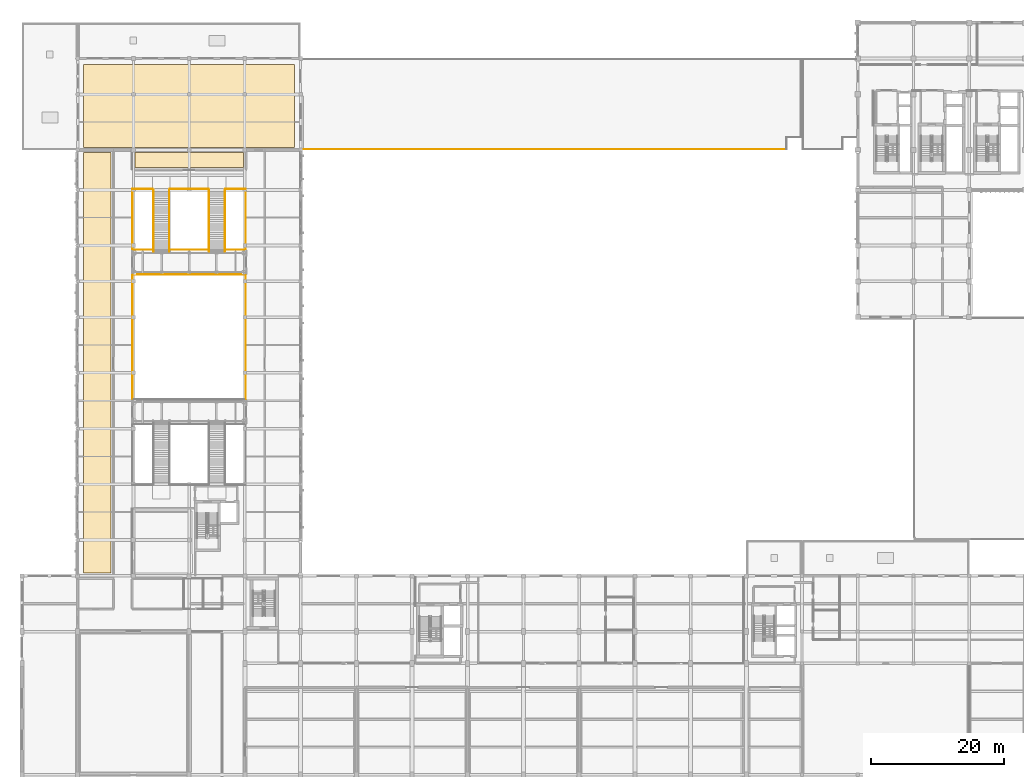
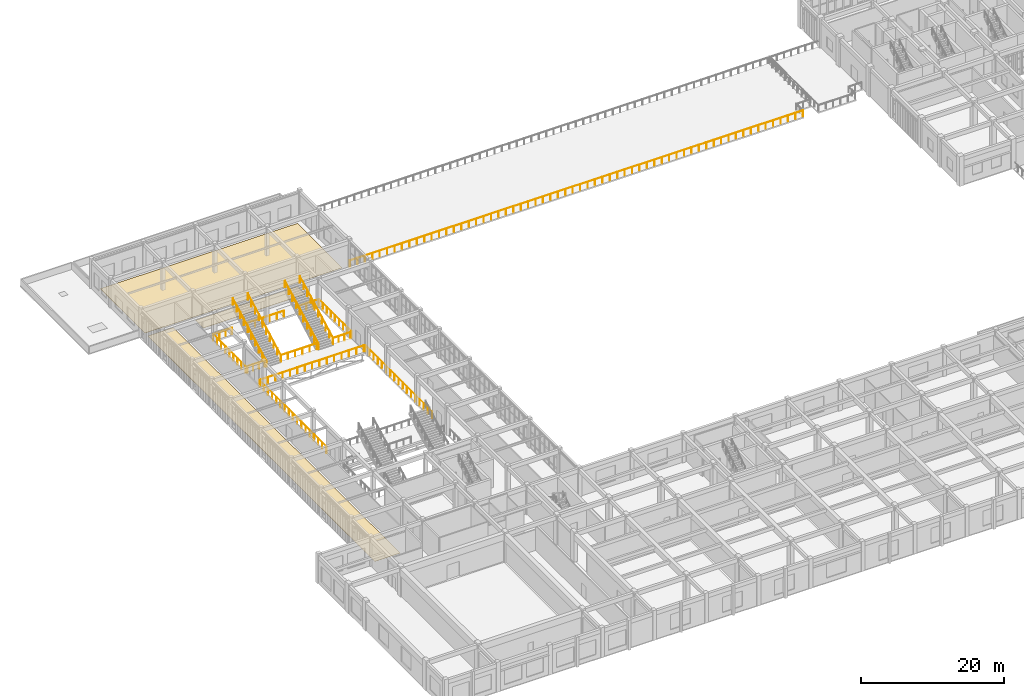
# One storey, part 90 of 93: 18 railings, 3 coverings.
"""IFC4 building model written with IfcOpenShell, lengths in metres."""

from ifc_helpers import new_model, si_unit, direction, frame, origin, origin_2d, place, context, subcontext, project, spatial, polyline, circle, outline, extrude, material, layer, layer_set, type_object, element, save


model = new_model("IFC4")

# Units and contexts
model_context = context("Model", 3, precision=1e-05, world=origin(), true_north=direction((0.0, 1.0)))
body_context = subcontext(model_context, "Body", "Model", "MODEL_VIEW")
ifc_project = project(units=[si_unit("LENGTHUNIT", "METRE"), si_unit("AREAUNIT", "SQUARE_METRE"), si_unit("VOLUMEUNIT", "CUBIC_METRE"), si_unit("PLANEANGLEUNIT", "RADIAN"), si_unit("MASSUNIT", "GRAM", prefix="KILO")], contexts=[model_context])

# Site, building, storey
site_placement = place(None, origin())
site = spatial("IfcSite", under=ifc_project, at=site_placement, CompositionType="ELEMENT")
building_placement = place(site_placement, origin())
building = spatial("IfcBuilding", under=site, at=building_placement, Name="Krzemoval Escarpment Law Courts", CompositionType="ELEMENT")
storey_placement = place(building_placement, frame((0.0, 0.0, 10.199951171875)))
storey = spatial("IfcBuildingStorey", under=building, at=storey_placement, Name="L02", CompositionType="ELEMENT", Elevation=10.199951171875)

# Coverings
ifc_material_1 = material(Name="Honed Silesian Granite Stone Flooring", Category="masonry")
ifc_layer = layer(ifc_material_1, 0.030029296875)
ifc_layer_set = layer_set([ifc_layer], Name="Honed Silesian Granite Stone Flooring")
covering_type = type_object("IfcCoveringType", Name="COV-FLR-STN30", PredefinedType="FLOORING", material=ifc_layer_set)
covering_1_placement = place(storey_placement, origin())
element("IfcCovering", 1, at=covering_1_placement, inside=storey, type_object=covering_type, Name="Stone Floor Finish FLR-L02-27", PredefinedType="FLOORING", context=body_context, shape_type="SweptSolid", body=[
    extrude(outline(polyline([(9.300048828125, 35.800048828125), (9.300048828125, 99.199951171875), (13.39990234375, 99.199951171875), (13.39990234375, 35.800048828125), (9.300048828125, 35.800048828125)])), origin(), (0.0, 0.0, 1.0), 0.030029296875),
])
covering_2_placement = place(storey_placement, origin())
element("IfcCovering", 2, at=covering_2_placement, inside=storey, type_object=covering_type, Name="Stone Floor Finish FLR-L02-29", PredefinedType="FLOORING", context=body_context, shape_type="SweptSolid", body=[
    extrude(outline(polyline([(17.0, 97.0), (17.0, 99.199951171875), (33.39990234375, 99.199951171875), (33.39990234375, 97.0), (17.0, 97.0)])), origin(), (0.0, 0.0, 1.0), 0.030029296875),
])
covering_3_placement = place(storey_placement, origin())
element("IfcCovering", 3, at=covering_3_placement, inside=storey, type_object=covering_type, Name="Stone Floor Finish FLR-L02-30", PredefinedType="FLOORING", context=body_context, shape_type="SweptSolid", body=[
    extrude(outline(polyline([(9.300048828125, 100.0), (9.300048828125, 112.5), (41.10009765625, 112.5), (41.10009765625, 100.0), (9.300048828125, 100.0)])), origin(), (0.0, 0.0, 1.0), 0.030029296875),
])

# Railings
ifc_material_2 = material(Name="Stainless Steel Grade 316L and Laminated Safety Glass Guard", Category="steel")
railing_type_1 = type_object("IfcRailingType", Name="RL-BAL-1100", PredefinedType="BALUSTRADE", material=ifc_material_2)
railing_1_placement = place(storey_placement, frame((115.239990234375, 99.719970703125, 0.0)))
element("IfcRailing", 4, at=railing_1_placement, inside=storey, type_object=railing_type_1, Name="Terrace Guardrail BG-L02-011", PredefinedType="BALUSTRADE", context=body_context, shape_type="SweptSolid", body=[
    extrude(circle(Radius=0.02392578125, at=origin_2d()), frame((0.0, 0.0, 1.076171875), z_axis=(-1.0, 0.0, 0.0), x_axis=(0.0, -1.0, 0.0)), (0.0, 0.0, 1.0), 73.02001953125),
    extrude(circle(Radius=0.02099609375, at=origin_2d()), origin(), (0.0, 0.0, 1.0), 1.052001953125),
    extrude(circle(Radius=0.02099609375, at=origin_2d()), frame((-1.197021484375, 0.0, 0.0)), (0.0, 0.0, 1.0), 1.052001953125),
    extrude(circle(Radius=0.02099609375, at=origin_2d()), frame((-2.39404296875, 0.0, 0.0)), (0.0, 0.0, 1.0), 1.052001953125),
    extrude(circle(Radius=0.02099609375, at=origin_2d()), frame((-3.591064453125, 0.0, 0.0)), (0.0, 0.0, 1.0), 1.052001953125),
    extrude(circle(Radius=0.02099609375, at=origin_2d()), frame((-4.7880859375, 0.0, 0.0)), (0.0, 0.0, 1.0), 1.052001953125),
    extrude(circle(Radius=0.02099609375, at=origin_2d()), frame((-5.9853515625, 0.0, 0.0)), (0.0, 0.0, 1.0), 1.052001953125),
    extrude(circle(Radius=0.02099609375, at=origin_2d()), frame((-7.182373046875, 0.0, 0.0)), (0.0, 0.0, 1.0), 1.052001953125),
    extrude(circle(Radius=0.02099609375, at=origin_2d()), frame((-8.37939453125, 0.0, 0.0)), (0.0, 0.0, 1.0), 1.052001953125),
    extrude(circle(Radius=0.02099609375, at=origin_2d()), frame((-9.576416015625, 0.0, 0.0)), (0.0, 0.0, 1.0), 1.052001953125),
    extrude(circle(Radius=0.02099609375, at=origin_2d()), frame((-10.7734375, 0.0, 0.0)), (0.0, 0.0, 1.0), 1.052001953125),
    extrude(circle(Radius=0.02099609375, at=origin_2d()), frame((-11.970458984375, 0.0, 0.0)), (0.0, 0.0, 1.0), 1.052001953125),
    extrude(circle(Radius=0.02099609375, at=origin_2d()), frame((-13.16748046875, 0.0, 0.0)), (0.0, 0.0, 1.0), 1.052001953125),
    extrude(circle(Radius=0.02099609375, at=origin_2d()), frame((-14.364501953125, 0.0, 0.0)), (0.0, 0.0, 1.0), 1.052001953125),
    extrude(circle(Radius=0.02099609375, at=origin_2d()), frame((-15.5615234375, 0.0, 0.0)), (0.0, 0.0, 1.0), 1.052001953125),
    extrude(circle(Radius=0.02099609375, at=origin_2d()), frame((-16.7587890625, 0.0, 0.0)), (0.0, 0.0, 1.0), 1.052001953125),
    extrude(circle(Radius=0.02099609375, at=origin_2d()), frame((-17.955810546875, 0.0, 0.0)), (0.0, 0.0, 1.0), 1.052001953125),
    extrude(circle(Radius=0.02099609375, at=origin_2d()), frame((-19.15283203125, 0.0, 0.0)), (0.0, 0.0, 1.0), 1.052001953125),
    extrude(circle(Radius=0.02099609375, at=origin_2d()), frame((-20.349853515625, 0.0, 0.0)), (0.0, 0.0, 1.0), 1.052001953125),
    extrude(circle(Radius=0.02099609375, at=origin_2d()), frame((-21.546875, 0.0, 0.0)), (0.0, 0.0, 1.0), 1.052001953125),
    extrude(circle(Radius=0.02099609375, at=origin_2d()), frame((-22.743896484375, 0.0, 0.0)), (0.0, 0.0, 1.0), 1.052001953125),
    extrude(circle(Radius=0.02099609375, at=origin_2d()), frame((-23.94091796875, 0.0, 0.0)), (0.0, 0.0, 1.0), 1.052001953125),
    extrude(circle(Radius=0.02099609375, at=origin_2d()), frame((-25.137939453125, 0.0, 0.0)), (0.0, 0.0, 1.0), 1.052001953125),
    extrude(circle(Radius=0.02099609375, at=origin_2d()), frame((-26.335205078125, 0.0, 0.0)), (0.0, 0.0, 1.0), 1.052001953125),
    extrude(circle(Radius=0.02099609375, at=origin_2d()), frame((-27.5322265625, 0.0, 0.0)), (0.0, 0.0, 1.0), 1.052001953125),
    extrude(circle(Radius=0.02099609375, at=origin_2d()), frame((-28.729248046875, 0.0, 0.0)), (0.0, 0.0, 1.0), 1.052001953125),
    extrude(circle(Radius=0.02099609375, at=origin_2d()), frame((-29.92626953125, 0.0, 0.0)), (0.0, 0.0, 1.0), 1.052001953125),
    extrude(circle(Radius=0.02099609375, at=origin_2d()), frame((-31.123291015625, 0.0, 0.0)), (0.0, 0.0, 1.0), 1.052001953125),
    extrude(circle(Radius=0.02099609375, at=origin_2d()), frame((-32.3203125, 0.0, 0.0)), (0.0, 0.0, 1.0), 1.052001953125),
    extrude(circle(Radius=0.02099609375, at=origin_2d()), frame((-33.517333984375, 0.0, 0.0)), (0.0, 0.0, 1.0), 1.052001953125),
    extrude(circle(Radius=0.02099609375, at=origin_2d()), frame((-34.71435546875, 0.0, 0.0)), (0.0, 0.0, 1.0), 1.052001953125),
    extrude(circle(Radius=0.02099609375, at=origin_2d()), frame((-35.911376953125, 0.0, 0.0)), (0.0, 0.0, 1.0), 1.052001953125),
    extrude(circle(Radius=0.02099609375, at=origin_2d()), frame((-37.108642578125, 0.0, 0.0)), (0.0, 0.0, 1.0), 1.052001953125),
    extrude(circle(Radius=0.02099609375, at=origin_2d()), frame((-38.3056640625, 0.0, 0.0)), (0.0, 0.0, 1.0), 1.052001953125),
    extrude(circle(Radius=0.02099609375, at=origin_2d()), frame((-39.502685546875, 0.0, 0.0)), (0.0, 0.0, 1.0), 1.052001953125),
    extrude(circle(Radius=0.02099609375, at=origin_2d()), frame((-40.69970703125, 0.0, 0.0)), (0.0, 0.0, 1.0), 1.052001953125),
    extrude(circle(Radius=0.02099609375, at=origin_2d()), frame((-41.896728515625, 0.0, 0.0)), (0.0, 0.0, 1.0), 1.052001953125),
    extrude(circle(Radius=0.02099609375, at=origin_2d()), frame((-43.09375, 0.0, 0.0)), (0.0, 0.0, 1.0), 1.052001953125),
    extrude(circle(Radius=0.02099609375, at=origin_2d()), frame((-44.290771484375, 0.0, 0.0)), (0.0, 0.0, 1.0), 1.052001953125),
    extrude(circle(Radius=0.02099609375, at=origin_2d()), frame((-45.48779296875, 0.0, 0.0)), (0.0, 0.0, 1.0), 1.052001953125),
    extrude(circle(Radius=0.02099609375, at=origin_2d()), frame((-46.684814453125, 0.0, 0.0)), (0.0, 0.0, 1.0), 1.052001953125),
    extrude(circle(Radius=0.02099609375, at=origin_2d()), frame((-47.882080078125, 0.0, 0.0)), (0.0, 0.0, 1.0), 1.052001953125),
    extrude(circle(Radius=0.02099609375, at=origin_2d()), frame((-49.0791015625, 0.0, 0.0)), (0.0, 0.0, 1.0), 1.052001953125),
    extrude(circle(Radius=0.02099609375, at=origin_2d()), frame((-50.276123046875, 0.0, 0.0)), (0.0, 0.0, 1.0), 1.052001953125),
    extrude(circle(Radius=0.02099609375, at=origin_2d()), frame((-51.47314453125, 0.0, 0.0)), (0.0, 0.0, 1.0), 1.052001953125),
    extrude(circle(Radius=0.02099609375, at=origin_2d()), frame((-52.670166015625, 0.0, 0.0)), (0.0, 0.0, 1.0), 1.052001953125),
    extrude(circle(Radius=0.02099609375, at=origin_2d()), frame((-53.8671875, 0.0, 0.0)), (0.0, 0.0, 1.0), 1.052001953125),
    extrude(circle(Radius=0.02099609375, at=origin_2d()), frame((-55.064208984375, 0.0, 0.0)), (0.0, 0.0, 1.0), 1.052001953125),
    extrude(circle(Radius=0.02099609375, at=origin_2d()), frame((-56.26123046875, 0.0, 0.0)), (0.0, 0.0, 1.0), 1.052001953125),
    extrude(circle(Radius=0.02099609375, at=origin_2d()), frame((-57.45849609375, 0.0, 0.0)), (0.0, 0.0, 1.0), 1.052001953125),
    extrude(circle(Radius=0.02099609375, at=origin_2d()), frame((-58.655517578125, 0.0, 0.0)), (0.0, 0.0, 1.0), 1.052001953125),
    extrude(circle(Radius=0.02099609375, at=origin_2d()), frame((-59.8525390625, 0.0, 0.0)), (0.0, 0.0, 1.0), 1.052001953125),
    extrude(circle(Radius=0.02099609375, at=origin_2d()), frame((-61.049560546875, 0.0, 0.0)), (0.0, 0.0, 1.0), 1.052001953125),
    extrude(circle(Radius=0.02099609375, at=origin_2d()), frame((-62.24658203125, 0.0, 0.0)), (0.0, 0.0, 1.0), 1.052001953125),
    extrude(circle(Radius=0.02099609375, at=origin_2d()), frame((-63.443603515625, 0.0, 0.0)), (0.0, 0.0, 1.0), 1.052001953125),
    extrude(circle(Radius=0.02099609375, at=origin_2d()), frame((-64.640625, 0.0, 0.0)), (0.0, 0.0, 1.0), 1.052001953125),
    extrude(circle(Radius=0.02099609375, at=origin_2d()), frame((-65.837646484375, 0.0, 0.0)), (0.0, 0.0, 1.0), 1.052001953125),
    extrude(circle(Radius=0.02099609375, at=origin_2d()), frame((-67.03466796875, 0.0, 0.0)), (0.0, 0.0, 1.0), 1.052001953125),
    extrude(circle(Radius=0.02099609375, at=origin_2d()), frame((-68.23193359375, 0.0, 0.0)), (0.0, 0.0, 1.0), 1.052001953125),
    extrude(circle(Radius=0.02099609375, at=origin_2d()), frame((-69.428955078125, 0.0, 0.0)), (0.0, 0.0, 1.0), 1.052001953125),
    extrude(circle(Radius=0.02099609375, at=origin_2d()), frame((-70.6259765625, 0.0, 0.0)), (0.0, 0.0, 1.0), 1.052001953125),
    extrude(circle(Radius=0.02099609375, at=origin_2d()), frame((-71.822998046875, 0.0, 0.0)), (0.0, 0.0, 1.0), 1.052001953125),
    extrude(circle(Radius=0.02099609375, at=origin_2d()), frame((-73.02001953125, 0.0, 0.0)), (0.0, 0.0, 1.0), 1.052001953125),
])
railing_2_placement = place(storey_placement, frame((16.679931640625, 93.719970703125, 0.0)))
element("IfcRailing", 5, at=railing_2_placement, inside=storey, type_object=railing_type_1, Name="Atrium Void Balustrade VG-L02-067", PredefinedType="BALUSTRADE", context=body_context, shape_type="SweptSolid", body=[
    extrude(circle(Radius=0.02392578125, at=origin_2d()), frame((0.0, 0.0, 1.076171875), z_axis=(1.0, 0.0, 0.0), x_axis=(0.0, 1.0, 0.0)), (0.0, 0.0, 1.0), 3.02001953125),
    extrude(circle(Radius=0.02099609375, at=origin_2d()), origin(), (0.0, 0.0, 1.0), 1.052001953125),
    extrude(circle(Radius=0.02099609375, at=origin_2d()), frame((1.006591796875, 0.0, 0.0)), (0.0, 0.0, 1.0), 1.052001953125),
    extrude(circle(Radius=0.02099609375, at=origin_2d()), frame((2.013427734375, 0.0, 0.0)), (0.0, 0.0, 1.0), 1.052001953125),
    extrude(circle(Radius=0.02099609375, at=origin_2d()), frame((3.02001953125, 0.0, 0.0)), (0.0, 0.0, 1.0), 1.052001953125),
])
railing_3_placement = place(storey_placement, frame((22.300048828125, 93.719970703125, 0.0)))
element("IfcRailing", 6, at=railing_3_placement, inside=storey, type_object=railing_type_1, Name="Atrium Void Balustrade VG-L02-068", PredefinedType="BALUSTRADE", context=body_context, shape_type="SweptSolid", body=[
    extrude(circle(Radius=0.02392578125, at=origin_2d()), frame((0.0, 0.0, 1.076171875), z_axis=(1.0, 0.0, 0.0), x_axis=(0.0, 1.0, 0.0)), (0.0, 0.0, 1.0), 5.800048828125),
    extrude(circle(Radius=0.02099609375, at=origin_2d()), origin(), (0.0, 0.0, 1.0), 1.052001953125),
    extrude(circle(Radius=0.02099609375, at=origin_2d()), frame((1.159912109375, 0.0, 0.0)), (0.0, 0.0, 1.0), 1.052001953125),
    extrude(circle(Radius=0.02099609375, at=origin_2d()), frame((2.320068359375, 0.0, 0.0)), (0.0, 0.0, 1.0), 1.052001953125),
    extrude(circle(Radius=0.02099609375, at=origin_2d()), frame((3.47998046875, 0.0, 0.0)), (0.0, 0.0, 1.0), 1.052001953125),
    extrude(circle(Radius=0.02099609375, at=origin_2d()), frame((4.64013671875, 0.0, 0.0)), (0.0, 0.0, 1.0), 1.052001953125),
    extrude(circle(Radius=0.02099609375, at=origin_2d()), frame((5.800048828125, 0.0, 0.0)), (0.0, 0.0, 1.0), 1.052001953125),
])
railing_4_placement = place(storey_placement, frame((30.699951171875, 93.719970703125, 0.0)))
element("IfcRailing", 7, at=railing_4_placement, inside=storey, type_object=railing_type_1, Name="Atrium Void Balustrade VG-L02-069", PredefinedType="BALUSTRADE", context=body_context, shape_type="SweptSolid", body=[
    extrude(circle(Radius=0.02392578125, at=origin_2d()), frame((0.0, 0.0, 1.076171875), z_axis=(1.0, 0.0, 0.0), x_axis=(0.0, 1.0, 0.0)), (0.0, 0.0, 1.0), 3.02001953125),
    extrude(circle(Radius=0.02099609375, at=origin_2d()), origin(), (0.0, 0.0, 1.0), 1.052001953125),
    extrude(circle(Radius=0.02099609375, at=origin_2d()), frame((1.006591796875, 0.0, 0.0)), (0.0, 0.0, 1.0), 1.052001953125),
    extrude(circle(Radius=0.02099609375, at=origin_2d()), frame((2.013427734375, 0.0, 0.0)), (0.0, 0.0, 1.0), 1.052001953125),
    extrude(circle(Radius=0.02099609375, at=origin_2d()), frame((3.02001953125, 0.0, 0.0)), (0.0, 0.0, 1.0), 1.052001953125),
])
railing_5_placement = place(storey_placement, frame((16.679931640625, 62.080078125, 0.0)))
element("IfcRailing", 8, at=railing_5_placement, inside=storey, type_object=railing_type_1, Name="Atrium Void Balustrade VG-L02-071", PredefinedType="BALUSTRADE", context=body_context, shape_type="SweptSolid", body=[
    extrude(circle(Radius=0.02392578125, at=origin_2d()), frame((0.0, 0.0, 1.076171875), z_axis=(0.0, 1.0, 0.0), x_axis=(-1.0, 0.0, 0.0)), (0.0, 0.0, 1.0), 18.639892578125),
    extrude(circle(Radius=0.02099609375, at=origin_2d()), origin(), (0.0, 0.0, 1.0), 1.052001953125),
    extrude(circle(Radius=0.02099609375, at=origin_2d()), frame((0.0, 1.1650390625, 0.0)), (0.0, 0.0, 1.0), 1.052001953125),
    extrude(circle(Radius=0.02099609375, at=origin_2d()), frame((0.0, 2.330078125, 0.0)), (0.0, 0.0, 1.0), 1.052001953125),
    extrude(circle(Radius=0.02099609375, at=origin_2d()), frame((0.0, 3.494873046875, 0.0)), (0.0, 0.0, 1.0), 1.052001953125),
    extrude(circle(Radius=0.02099609375, at=origin_2d()), frame((0.0, 4.659912109375, 0.0)), (0.0, 0.0, 1.0), 1.052001953125),
    extrude(circle(Radius=0.02099609375, at=origin_2d()), frame((0.0, 5.824951171875, 0.0)), (0.0, 0.0, 1.0), 1.052001953125),
    extrude(circle(Radius=0.02099609375, at=origin_2d()), frame((0.0, 6.989990234375, 0.0)), (0.0, 0.0, 1.0), 1.052001953125),
    extrude(circle(Radius=0.02099609375, at=origin_2d()), frame((0.0, 8.155029296875, 0.0)), (0.0, 0.0, 1.0), 1.052001953125),
    extrude(circle(Radius=0.02099609375, at=origin_2d()), frame((0.0, 9.31982421875, 0.0)), (0.0, 0.0, 1.0), 1.052001953125),
    extrude(circle(Radius=0.02099609375, at=origin_2d()), frame((0.0, 10.48486328125, 0.0)), (0.0, 0.0, 1.0), 1.052001953125),
    extrude(circle(Radius=0.02099609375, at=origin_2d()), frame((0.0, 11.64990234375, 0.0)), (0.0, 0.0, 1.0), 1.052001953125),
    extrude(circle(Radius=0.02099609375, at=origin_2d()), frame((0.0, 12.81494140625, 0.0)), (0.0, 0.0, 1.0), 1.052001953125),
    extrude(circle(Radius=0.02099609375, at=origin_2d()), frame((0.0, 13.97998046875, 0.0)), (0.0, 0.0, 1.0), 1.052001953125),
    extrude(circle(Radius=0.02099609375, at=origin_2d()), frame((0.0, 15.14501953125, 0.0)), (0.0, 0.0, 1.0), 1.052001953125),
    extrude(circle(Radius=0.02099609375, at=origin_2d()), frame((0.0, 16.309814453125, 0.0)), (0.0, 0.0, 1.0), 1.052001953125),
    extrude(circle(Radius=0.02099609375, at=origin_2d()), frame((0.0, 17.474853515625, 0.0)), (0.0, 0.0, 1.0), 1.052001953125),
    extrude(circle(Radius=0.02099609375, at=origin_2d()), frame((0.0, 18.639892578125, 0.0)), (0.0, 0.0, 1.0), 1.052001953125),
])
railing_6_placement = place(storey_placement, frame((16.679931640625, 84.64990234375, 0.0)))
element("IfcRailing", 9, at=railing_6_placement, inside=storey, type_object=railing_type_1, Name="Atrium Void Balustrade VG-L02-072", PredefinedType="BALUSTRADE", context=body_context, shape_type="SweptSolid", body=[
    extrude(circle(Radius=0.02392578125, at=origin_2d()), frame((0.0, 0.0, 1.076171875), z_axis=(0.0, 1.0, 0.0), x_axis=(-1.0, 0.0, 0.0)), (0.0, 0.0, 1.0), 9.070068359375),
    extrude(circle(Radius=0.02099609375, at=origin_2d()), origin(), (0.0, 0.0, 1.0), 1.052001953125),
    extrude(circle(Radius=0.02099609375, at=origin_2d()), frame((0.0, 1.1337890625, 0.0)), (0.0, 0.0, 1.0), 1.052001953125),
    extrude(circle(Radius=0.02099609375, at=origin_2d()), frame((0.0, 2.267578125, 0.0)), (0.0, 0.0, 1.0), 1.052001953125),
    extrude(circle(Radius=0.02099609375, at=origin_2d()), frame((0.0, 3.4013671875, 0.0)), (0.0, 0.0, 1.0), 1.052001953125),
    extrude(circle(Radius=0.02099609375, at=origin_2d()), frame((0.0, 4.53515625, 0.0)), (0.0, 0.0, 1.0), 1.052001953125),
    extrude(circle(Radius=0.02099609375, at=origin_2d()), frame((0.0, 5.668701171875, 0.0)), (0.0, 0.0, 1.0), 1.052001953125),
    extrude(circle(Radius=0.02099609375, at=origin_2d()), frame((0.0, 6.802490234375, 0.0)), (0.0, 0.0, 1.0), 1.052001953125),
    extrude(circle(Radius=0.02099609375, at=origin_2d()), frame((0.0, 7.936279296875, 0.0)), (0.0, 0.0, 1.0), 1.052001953125),
    extrude(circle(Radius=0.02099609375, at=origin_2d()), frame((0.0, 9.070068359375, 0.0)), (0.0, 0.0, 1.0), 1.052001953125),
])
railing_7_placement = place(storey_placement, frame((33.719970703125, 62.080078125, 0.0)))
element("IfcRailing", 10, at=railing_7_placement, inside=storey, type_object=railing_type_1, Name="Atrium Void Balustrade VG-L02-074", PredefinedType="BALUSTRADE", context=body_context, shape_type="SweptSolid", body=[
    extrude(circle(Radius=0.02392578125, at=origin_2d()), frame((0.0, 0.0, 1.076171875), z_axis=(0.0, 1.0, 0.0), x_axis=(-1.0, 0.0, 0.0)), (0.0, 0.0, 1.0), 18.639892578125),
    extrude(circle(Radius=0.02099609375, at=origin_2d()), origin(), (0.0, 0.0, 1.0), 1.052001953125),
    extrude(circle(Radius=0.02099609375, at=origin_2d()), frame((0.0, 1.1650390625, 0.0)), (0.0, 0.0, 1.0), 1.052001953125),
    extrude(circle(Radius=0.02099609375, at=origin_2d()), frame((0.0, 2.330078125, 0.0)), (0.0, 0.0, 1.0), 1.052001953125),
    extrude(circle(Radius=0.02099609375, at=origin_2d()), frame((0.0, 3.494873046875, 0.0)), (0.0, 0.0, 1.0), 1.052001953125),
    extrude(circle(Radius=0.02099609375, at=origin_2d()), frame((0.0, 4.659912109375, 0.0)), (0.0, 0.0, 1.0), 1.052001953125),
    extrude(circle(Radius=0.02099609375, at=origin_2d()), frame((0.0, 5.824951171875, 0.0)), (0.0, 0.0, 1.0), 1.052001953125),
    extrude(circle(Radius=0.02099609375, at=origin_2d()), frame((0.0, 6.989990234375, 0.0)), (0.0, 0.0, 1.0), 1.052001953125),
    extrude(circle(Radius=0.02099609375, at=origin_2d()), frame((0.0, 8.155029296875, 0.0)), (0.0, 0.0, 1.0), 1.052001953125),
    extrude(circle(Radius=0.02099609375, at=origin_2d()), frame((0.0, 9.31982421875, 0.0)), (0.0, 0.0, 1.0), 1.052001953125),
    extrude(circle(Radius=0.02099609375, at=origin_2d()), frame((0.0, 10.48486328125, 0.0)), (0.0, 0.0, 1.0), 1.052001953125),
    extrude(circle(Radius=0.02099609375, at=origin_2d()), frame((0.0, 11.64990234375, 0.0)), (0.0, 0.0, 1.0), 1.052001953125),
    extrude(circle(Radius=0.02099609375, at=origin_2d()), frame((0.0, 12.81494140625, 0.0)), (0.0, 0.0, 1.0), 1.052001953125),
    extrude(circle(Radius=0.02099609375, at=origin_2d()), frame((0.0, 13.97998046875, 0.0)), (0.0, 0.0, 1.0), 1.052001953125),
    extrude(circle(Radius=0.02099609375, at=origin_2d()), frame((0.0, 15.14501953125, 0.0)), (0.0, 0.0, 1.0), 1.052001953125),
    extrude(circle(Radius=0.02099609375, at=origin_2d()), frame((0.0, 16.309814453125, 0.0)), (0.0, 0.0, 1.0), 1.052001953125),
    extrude(circle(Radius=0.02099609375, at=origin_2d()), frame((0.0, 17.474853515625, 0.0)), (0.0, 0.0, 1.0), 1.052001953125),
    extrude(circle(Radius=0.02099609375, at=origin_2d()), frame((0.0, 18.639892578125, 0.0)), (0.0, 0.0, 1.0), 1.052001953125),
])
railing_8_placement = place(storey_placement, frame((33.719970703125, 84.64990234375, 0.0)))
element("IfcRailing", 11, at=railing_8_placement, inside=storey, type_object=railing_type_1, Name="Atrium Void Balustrade VG-L02-075", PredefinedType="BALUSTRADE", context=body_context, shape_type="SweptSolid", body=[
    extrude(circle(Radius=0.02392578125, at=origin_2d()), frame((0.0, 0.0, 1.076171875), z_axis=(0.0, 1.0, 0.0), x_axis=(-1.0, 0.0, 0.0)), (0.0, 0.0, 1.0), 9.070068359375),
    extrude(circle(Radius=0.02099609375, at=origin_2d()), origin(), (0.0, 0.0, 1.0), 1.052001953125),
    extrude(circle(Radius=0.02099609375, at=origin_2d()), frame((0.0, 1.1337890625, 0.0)), (0.0, 0.0, 1.0), 1.052001953125),
    extrude(circle(Radius=0.02099609375, at=origin_2d()), frame((0.0, 2.267578125, 0.0)), (0.0, 0.0, 1.0), 1.052001953125),
    extrude(circle(Radius=0.02099609375, at=origin_2d()), frame((0.0, 3.4013671875, 0.0)), (0.0, 0.0, 1.0), 1.052001953125),
    extrude(circle(Radius=0.02099609375, at=origin_2d()), frame((0.0, 4.53515625, 0.0)), (0.0, 0.0, 1.0), 1.052001953125),
    extrude(circle(Radius=0.02099609375, at=origin_2d()), frame((0.0, 5.668701171875, 0.0)), (0.0, 0.0, 1.0), 1.052001953125),
    extrude(circle(Radius=0.02099609375, at=origin_2d()), frame((0.0, 6.802490234375, 0.0)), (0.0, 0.0, 1.0), 1.052001953125),
    extrude(circle(Radius=0.02099609375, at=origin_2d()), frame((0.0, 7.936279296875, 0.0)), (0.0, 0.0, 1.0), 1.052001953125),
    extrude(circle(Radius=0.02099609375, at=origin_2d()), frame((0.0, 9.070068359375, 0.0)), (0.0, 0.0, 1.0), 1.052001953125),
])
railing_9_placement = place(storey_placement, frame((16.89990234375, 80.820068359375, 0.0)))
element("IfcRailing", 12, at=railing_9_placement, inside=storey, type_object=railing_type_1, Name="Sky-Bridge South Guardrail BG-L02-110", PredefinedType="BALUSTRADE", context=body_context, shape_type="SweptSolid", body=[
    extrude(circle(Radius=0.02392578125, at=origin_2d()), frame((0.0, 0.0, 1.076171875), z_axis=(1.0, 0.0, 0.0), x_axis=(0.0, 1.0, 0.0)), (0.0, 0.0, 1.0), 16.60009765625),
    extrude(circle(Radius=0.02099609375, at=origin_2d()), origin(), (0.0, 0.0, 1.0), 1.052001953125),
    extrude(circle(Radius=0.02099609375, at=origin_2d()), frame((1.185791015625, 0.0, 0.0)), (0.0, 0.0, 1.0), 1.052001953125),
    extrude(circle(Radius=0.02099609375, at=origin_2d()), frame((2.371337890625, 0.0, 0.0)), (0.0, 0.0, 1.0), 1.052001953125),
    extrude(circle(Radius=0.02099609375, at=origin_2d()), frame((3.55712890625, 0.0, 0.0)), (0.0, 0.0, 1.0), 1.052001953125),
    extrude(circle(Radius=0.02099609375, at=origin_2d()), frame((4.742919921875, 0.0, 0.0)), (0.0, 0.0, 1.0), 1.052001953125),
    extrude(circle(Radius=0.02099609375, at=origin_2d()), frame((5.9287109375, 0.0, 0.0)), (0.0, 0.0, 1.0), 1.052001953125),
    extrude(circle(Radius=0.02099609375, at=origin_2d()), frame((7.1142578125, 0.0, 0.0)), (0.0, 0.0, 1.0), 1.052001953125),
    extrude(circle(Radius=0.02099609375, at=origin_2d()), frame((8.300048828125, 0.0, 0.0)), (0.0, 0.0, 1.0), 1.052001953125),
    extrude(circle(Radius=0.02099609375, at=origin_2d()), frame((9.48583984375, 0.0, 0.0)), (0.0, 0.0, 1.0), 1.052001953125),
    extrude(circle(Radius=0.02099609375, at=origin_2d()), frame((10.67138671875, 0.0, 0.0)), (0.0, 0.0, 1.0), 1.052001953125),
    extrude(circle(Radius=0.02099609375, at=origin_2d()), frame((11.857177734375, 0.0, 0.0)), (0.0, 0.0, 1.0), 1.052001953125),
    extrude(circle(Radius=0.02099609375, at=origin_2d()), frame((13.04296875, 0.0, 0.0)), (0.0, 0.0, 1.0), 1.052001953125),
    extrude(circle(Radius=0.02099609375, at=origin_2d()), frame((14.228759765625, 0.0, 0.0)), (0.0, 0.0, 1.0), 1.052001953125),
    extrude(circle(Radius=0.02099609375, at=origin_2d()), frame((15.414306640625, 0.0, 0.0)), (0.0, 0.0, 1.0), 1.052001953125),
    extrude(circle(Radius=0.02099609375, at=origin_2d()), frame((16.60009765625, 0.0, 0.0)), (0.0, 0.0, 1.0), 1.052001953125),
])
railing_10_placement = place(storey_placement, frame((16.89990234375, 84.550048828125, 0.0)))
element("IfcRailing", 13, at=railing_10_placement, inside=storey, type_object=railing_type_1, Name="Sky-Bridge North Guardrail BG-L02-111", PredefinedType="BALUSTRADE", context=body_context, shape_type="SweptSolid", body=[
    extrude(circle(Radius=0.02392578125, at=origin_2d()), frame((0.0, 0.0, 1.076171875), z_axis=(1.0, 0.0, 0.0), x_axis=(0.0, 1.0, 0.0)), (0.0, 0.0, 1.0), 2.800048828125),
    extrude(circle(Radius=0.02099609375, at=origin_2d()), origin(), (0.0, 0.0, 1.0), 1.052001953125),
    extrude(circle(Radius=0.02099609375, at=origin_2d()), frame((0.933349609375, 0.0, 0.0)), (0.0, 0.0, 1.0), 1.052001953125),
    extrude(circle(Radius=0.02099609375, at=origin_2d()), frame((1.86669921875, 0.0, 0.0)), (0.0, 0.0, 1.0), 1.052001953125),
    extrude(circle(Radius=0.02099609375, at=origin_2d()), frame((2.800048828125, 0.0, 0.0)), (0.0, 0.0, 1.0), 1.052001953125),
])
railing_11_placement = place(storey_placement, frame((22.300048828125, 84.550048828125, 0.0)))
element("IfcRailing", 14, at=railing_11_placement, inside=storey, type_object=railing_type_1, Name="Sky-Bridge North Guardrail BG-L02-112", PredefinedType="BALUSTRADE", context=body_context, shape_type="SweptSolid", body=[
    extrude(circle(Radius=0.02392578125, at=origin_2d()), frame((0.0, 0.0, 1.076171875), z_axis=(1.0, 0.0, 0.0), x_axis=(0.0, 1.0, 0.0)), (0.0, 0.0, 1.0), 5.800048828125),
    extrude(circle(Radius=0.02099609375, at=origin_2d()), origin(), (0.0, 0.0, 1.0), 1.052001953125),
    extrude(circle(Radius=0.02099609375, at=origin_2d()), frame((1.159912109375, 0.0, 0.0)), (0.0, 0.0, 1.0), 1.052001953125),
    extrude(circle(Radius=0.02099609375, at=origin_2d()), frame((2.320068359375, 0.0, 0.0)), (0.0, 0.0, 1.0), 1.052001953125),
    extrude(circle(Radius=0.02099609375, at=origin_2d()), frame((3.47998046875, 0.0, 0.0)), (0.0, 0.0, 1.0), 1.052001953125),
    extrude(circle(Radius=0.02099609375, at=origin_2d()), frame((4.64013671875, 0.0, 0.0)), (0.0, 0.0, 1.0), 1.052001953125),
    extrude(circle(Radius=0.02099609375, at=origin_2d()), frame((5.800048828125, 0.0, 0.0)), (0.0, 0.0, 1.0), 1.052001953125),
])
railing_12_placement = place(storey_placement, frame((30.699951171875, 84.550048828125, 0.0)))
element("IfcRailing", 15, at=railing_12_placement, inside=storey, type_object=railing_type_1, Name="Sky-Bridge North Guardrail BG-L02-113", PredefinedType="BALUSTRADE", context=body_context, shape_type="SweptSolid", body=[
    extrude(circle(Radius=0.02392578125, at=origin_2d()), frame((0.0, 0.0, 1.076171875), z_axis=(1.0, 0.0, 0.0), x_axis=(0.0, 1.0, 0.0)), (0.0, 0.0, 1.0), 2.800048828125),
    extrude(circle(Radius=0.02099609375, at=origin_2d()), origin(), (0.0, 0.0, 1.0), 1.052001953125),
    extrude(circle(Radius=0.02099609375, at=origin_2d()), frame((0.933349609375, 0.0, 0.0)), (0.0, 0.0, 1.0), 1.052001953125),
    extrude(circle(Radius=0.02099609375, at=origin_2d()), frame((1.86669921875, 0.0, 0.0)), (0.0, 0.0, 1.0), 1.052001953125),
    extrude(circle(Radius=0.02099609375, at=origin_2d()), frame((2.800048828125, 0.0, 0.0)), (0.0, 0.0, 1.0), 1.052001953125),
])
for number, where, name in (
    (16, (19.800048828125, 84.320068359375, 0.170166015625), "Feature Stair Guard ST10-L02 L"),
    (17, (22.199951171875, 84.320068359375, 0.170166015625), "Feature Stair Guard ST10-L02 R"),
    (18, (28.199951171875, 84.320068359375, 0.170166015625), "Feature Stair Guard ST11-L02 L"),
    (19, (30.60009765625, 84.320068359375, 0.170166015625), "Feature Stair Guard ST11-L02 R"),
):
    element("IfcRailing", number, at=place(storey_placement, frame(where)), inside=storey, type_object=railing_type_1, Name=name, PredefinedType="BALUSTRADE", context=body_context, shape_type="SweptSolid", body=[
        extrude(circle(Radius=0.02392578125, at=origin_2d()), frame((0.0, 0.0, 1.076171875), z_axis=(0.0, 0.88311902836, 0.469148997387), x_axis=(-1.0, 0.0, 0.0)), (0.0, 0.0, 1.0), 10.50830078125),
        extrude(circle(Radius=0.02099609375, at=origin_2d()), origin(), (0.0, 0.0, 1.0), 1.052001953125),
        extrude(circle(Radius=0.02099609375, at=origin_2d()), frame((0.0, 1.031005859375, 0.5478515625)), (0.0, 0.0, 1.0), 1.052001953125),
        extrude(circle(Radius=0.02099609375, at=origin_2d()), frame((0.0, 2.062255859375, 1.095458984375)), (0.0, 0.0, 1.0), 1.052001953125),
        extrude(circle(Radius=0.02099609375, at=origin_2d()), frame((0.0, 3.09326171875, 1.643310546875)), (0.0, 0.0, 1.0), 1.052001953125),
        extrude(circle(Radius=0.02099609375, at=origin_2d()), frame((0.0, 4.12451171875, 2.191162109375)), (0.0, 0.0, 1.0), 1.052001953125),
        extrude(circle(Radius=0.02099609375, at=origin_2d()), frame((0.0, 5.155517578125, 2.73876953125)), (0.0, 0.0, 1.0), 1.052001953125),
        extrude(circle(Radius=0.02099609375, at=origin_2d()), frame((0.0, 6.186767578125, 3.28662109375)), (0.0, 0.0, 1.0), 1.052001953125),
        extrude(circle(Radius=0.02099609375, at=origin_2d()), frame((0.0, 7.2177734375, 3.83447265625)), (0.0, 0.0, 1.0), 1.052001953125),
        extrude(circle(Radius=0.02099609375, at=origin_2d()), frame((0.0, 8.2490234375, 4.382080078125)), (0.0, 0.0, 1.0), 1.052001953125),
        extrude(circle(Radius=0.02099609375, at=origin_2d()), frame((0.0, 9.280029296875, 4.929931640625)), (0.0, 0.0, 1.0), 1.052001953125),
    ])
ifc_material_3 = material(Name="Brushed Stainless Steel Grade 304 Handrail", Category="steel")
railing_type_2 = type_object("IfcRailingType", Name="RL-HND-900", PredefinedType="HANDRAIL", material=ifc_material_3)
for number, where, name in (
    (20, (19.830078125, 84.320068359375, 0.170166015625), "Feature Stair Handrail ST10-L02"),
    (21, (28.22998046875, 84.320068359375, 0.170166015625), "Feature Stair Handrail ST11-L02"),
):
    element("IfcRailing", number, at=place(storey_placement, frame(where)), inside=storey, type_object=railing_type_2, Name=name, PredefinedType="HANDRAIL", context=body_context, shape_type="SweptSolid", body=[
        extrude(circle(Radius=0.02392578125, at=origin_2d()), frame((0.0, 0.0, 0.8759765625), z_axis=(0.0, 0.88311902836, 0.469148997387), x_axis=(-1.0, 0.0, 0.0)), (0.0, 0.0, 1.0), 10.50830078125),
        extrude(circle(Radius=0.02099609375, at=origin_2d()), origin(), (0.0, 0.0, 1.0), 0.851806640625),
        extrude(circle(Radius=0.02099609375, at=origin_2d()), frame((0.0, 1.031005859375, 0.5478515625)), (0.0, 0.0, 1.0), 0.851806640625),
        extrude(circle(Radius=0.02099609375, at=origin_2d()), frame((0.0, 2.062255859375, 1.095458984375)), (0.0, 0.0, 1.0), 0.851806640625),
        extrude(circle(Radius=0.02099609375, at=origin_2d()), frame((0.0, 3.09326171875, 1.643310546875)), (0.0, 0.0, 1.0), 0.851806640625),
        extrude(circle(Radius=0.02099609375, at=origin_2d()), frame((0.0, 4.12451171875, 2.191162109375)), (0.0, 0.0, 1.0), 0.851806640625),
        extrude(circle(Radius=0.02099609375, at=origin_2d()), frame((0.0, 5.155517578125, 2.73876953125)), (0.0, 0.0, 1.0), 0.851806640625),
        extrude(circle(Radius=0.02099609375, at=origin_2d()), frame((0.0, 6.186767578125, 3.28662109375)), (0.0, 0.0, 1.0), 0.851806640625),
        extrude(circle(Radius=0.02099609375, at=origin_2d()), frame((0.0, 7.2177734375, 3.83447265625)), (0.0, 0.0, 1.0), 0.851806640625),
        extrude(circle(Radius=0.02099609375, at=origin_2d()), frame((0.0, 8.2490234375, 4.382080078125)), (0.0, 0.0, 1.0), 0.851806640625),
        extrude(circle(Radius=0.02099609375, at=origin_2d()), frame((0.0, 9.280029296875, 4.929931640625)), (0.0, 0.0, 1.0), 0.851806640625),
    ])

save(model, "model.ifc")
